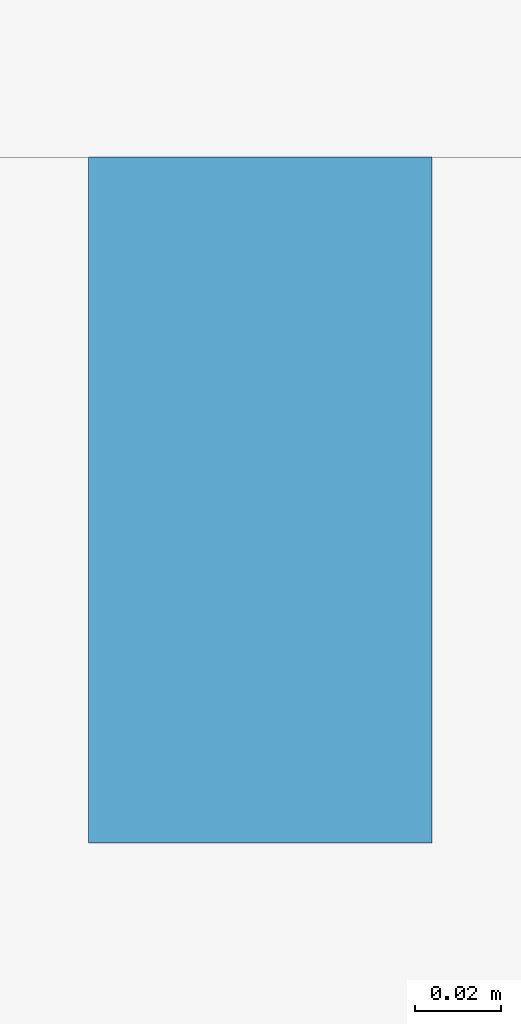
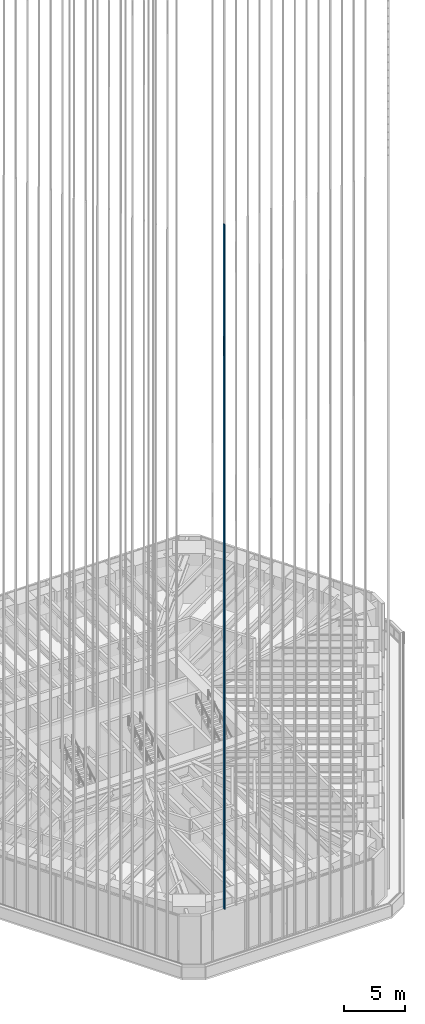
# One storey, part 18 of 228: 1 member, 1 element without a shape of its own.
"""IFC4 building model written with IfcOpenShell, lengths in metres."""

from ifc_helpers import new_model, si_unit, direction, frame, origin, origin_2d, place, context, subcontext, project, spatial, rectangle, extrude, material, material_profile, profile_set, type_object, element, aggregate, save


model = new_model("IFC4")

# Units and contexts
model_context = context("Model", 3, precision=1e-05, world=origin(), true_north=direction((0.0, 1.0)))
body_context = subcontext(model_context, "Body", "Model", "MODEL_VIEW")
ifc_project = project(units=[si_unit("LENGTHUNIT", "METRE"), si_unit("AREAUNIT", "SQUARE_METRE"), si_unit("VOLUMEUNIT", "CUBIC_METRE"), si_unit("PLANEANGLEUNIT", "RADIAN"), si_unit("MASSUNIT", "GRAM", prefix="KILO")], contexts=[model_context])

# Site, building, storey
site_placement = place(None, origin())
site = spatial("IfcSite", under=ifc_project, at=site_placement, CompositionType="ELEMENT")
building_placement = place(site_placement, origin())
building = spatial("IfcBuilding", under=site, at=building_placement, Name="Sandreach Pilgrim Tower", CompositionType="ELEMENT")
storey_placement = place(building_placement, frame((0.0, 0.0, 178.199951171875)))
storey = spatial("IfcBuildingStorey", under=building, at=storey_placement, Name="L44", CompositionType="ELEMENT", Elevation=178.199951171875)

# Curtain wall, member
ifc_material_1 = material(Name="Aluminium framed curtain wall", Category="aluminium")
curtain_wall_type = type_object("IfcCurtainWallType", Name="Upper hotel tower curtain wall", PredefinedType="NOTDEFINED", material=ifc_material_1)
curtain_wall_placement = place(storey_placement, origin())
curtain_wall = element("IfcCurtainWall", 1, at=curtain_wall_placement, inside=storey, type_object=curtain_wall_type, Name="CW-3 L44 SA", PredefinedType="NOTDEFINED")
ifc_material_2 = material(Name="Extruded terracotta on aluminium core", Category="masonry")
ifc_material_profile = material_profile(ifc_material_2, rectangle(XDim=0.080078125, YDim=0.159912109375, at=origin_2d()), Name="TBS 80X160")
ifc_profile_set = profile_set([ifc_material_profile], Name="Extruded terracotta on aluminium core")
member_type = type_object("IfcMemberType", Name="Terracotta baguette south", PredefinedType="USERDEFINED", material=ifc_profile_set)
member_placement = place(storey_placement, frame((-6.098876953125, -26.905029296875, 5.0), z_axis=(0.0, 0.0, 1.0), x_axis=(-1.0, 0.0, 0.0)))
member = element("IfcMember", 2, at=member_placement, type_object=member_type, Name="Baguette Z3 S13", ObjectType="BAGUETTE", PredefinedType="USERDEFINED", context=body_context, shape_type="SweptSolid", body=[
    extrude(rectangle(XDim=0.080078125, YDim=0.159912109375, at=origin_2d()), origin(), (0.0, 0.0, 1.0), 68.239990234375),
])
aggregate(curtain_wall, [member])

save(model, "model.ifc")
